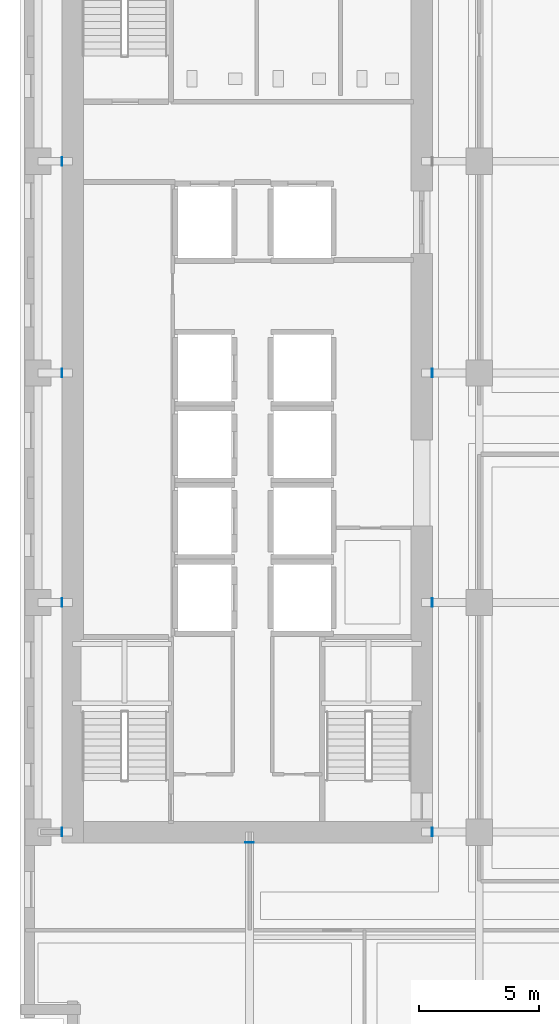
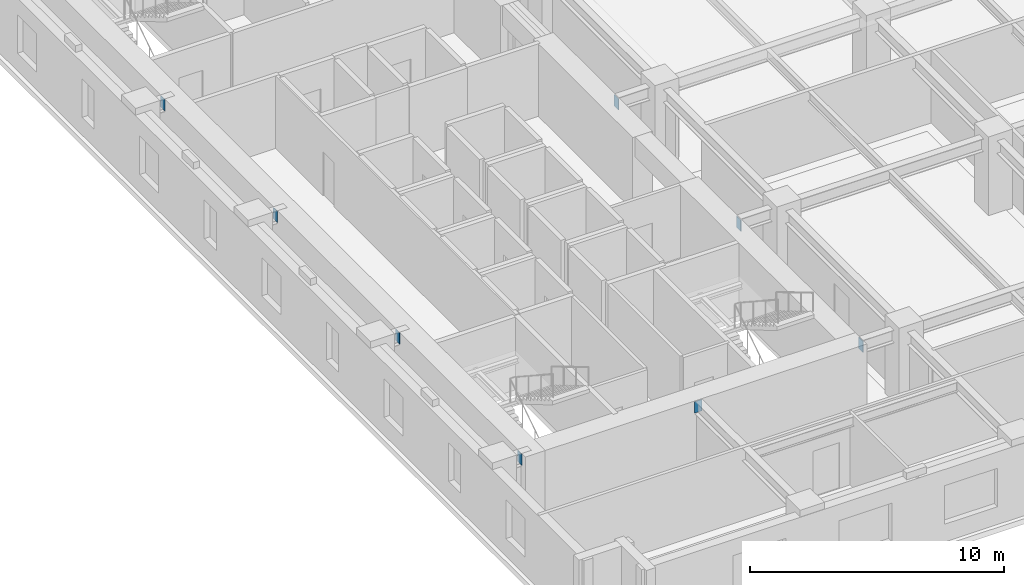
# One storey, part 9 of 15: 8 discrete accessories.
"""IFC4 building model written with IfcOpenShell, lengths in metres."""

from ifc_helpers import new_model, si_unit, direction, frame, origin, origin_2d, place, context, subcontext, project, spatial, rectangle, extrude, material, layer, layer_set, type_object, element, save


model = new_model("IFC4")

# Units and contexts
model_context = context("Model", 3, precision=1e-05, world=origin(), true_north=direction((0.0, 1.0)))
body_context = subcontext(model_context, "Body", "Model", "MODEL_VIEW")
ifc_project = project(units=[si_unit("LENGTHUNIT", "METRE"), si_unit("AREAUNIT", "SQUARE_METRE"), si_unit("VOLUMEUNIT", "CUBIC_METRE"), si_unit("PLANEANGLEUNIT", "RADIAN"), si_unit("MASSUNIT", "GRAM", prefix="KILO")], contexts=[model_context])

# Site, building, storey
site_placement = place(None, origin())
site = spatial("IfcSite", under=ifc_project, at=site_placement, CompositionType="ELEMENT")
building_placement = place(site_placement, origin())
building = spatial("IfcBuilding", under=site, at=building_placement, Name="Norrvale University Quadrangle", CompositionType="ELEMENT")
storey_placement = place(building_placement, frame((0.0, 0.0, 92.60009765625)))
storey = spatial("IfcBuildingStorey", under=building, at=storey_placement, Name="L23", CompositionType="ELEMENT", Elevation=92.60009765625)

# Discrete accessories
ifc_material = material(Name="Steel 350W", Category="steel")
ifc_layer = layer(ifc_material, 0.02490234375, Name="Steel 350W")
ifc_layer_set = layer_set([ifc_layer], Name="Steel 350W")
discrete_accessory_type = type_object("IfcDiscreteAccessoryType", Name="Accessory Cast In Embed Plate", PredefinedType="ANCHORPLATE", material=ifc_layer_set)
for number, where, z_axis, x_axis, name in (
    (1, (1.762451171875, 9.60009765625, 2.89990234375), (0.0, 0.0, 1.0), (1.0, 0.0, 0.0), "Core Wall Cast-in Embed Plate L23-GCW069"),
    (2, (17.237548828125, 9.60009765625, 2.89990234375), (0.0, 0.0, 1.0), (1.0, 0.0, 0.0), "Core Wall Cast-in Embed Plate L23-GCE070"),
    (3, (1.762451171875, 19.199951171875, 2.89990234375), (0.0, 0.0, 1.0), (1.0, 0.0, 0.0), "Core Wall Cast-in Embed Plate L23-GCW071"),
    (4, (17.237548828125, 19.199951171875, 2.89990234375), (0.0, 0.0, 1.0), (1.0, 0.0, 0.0), "Core Wall Cast-in Embed Plate L23-GCE072"),
    (5, (1.762451171875, 28.800048828125, 2.89990234375), (0.0, 0.0, 1.0), (1.0, 0.0, 0.0), "Core Wall Cast-in Embed Plate L23-GCW073"),
    (6, (17.237548828125, 28.800048828125, 2.89990234375), (0.0, 0.0, 1.0), (1.0, 0.0, 0.0), "Core Wall Cast-in Embed Plate L23-GCE074"),
    (7, (1.762451171875, 37.64990234375, 2.89990234375), (0.0, 0.0, 1.0), (1.0, 0.0, 0.0), "Core Wall Cast-in Embed Plate L23-GCW075"),
):
    element("IfcDiscreteAccessory", number, at=place(storey_placement, frame(where, z_axis=z_axis, x_axis=x_axis)), inside=storey, type_object=discrete_accessory_type, Name=name, PredefinedType="ANCHORPLATE", context=body_context, shape_type="SweptSolid", body=[
        extrude(rectangle(XDim=0.02490234375, YDim=0.35009765625, at=origin_2d()), origin(), (0.0, 0.0, 1.0), 0.5400390625),
    ])
discrete_accessory_placement = place(storey_placement, frame((9.60009765625, 9.16259765625, 2.89990234375), z_axis=(0.0, 0.0, 1.0), x_axis=(1.0, 0.0, 0.0)))
element("IfcDiscreteAccessory", 8, at=discrete_accessory_placement, inside=storey, type_object=discrete_accessory_type, Name="Core Wall Cast-in Embed Plate L23-GCS102", PredefinedType="ANCHORPLATE", context=body_context, shape_type="SweptSolid", body=[
    extrude(rectangle(XDim=0.35009765625, YDim=0.02490234375, at=origin_2d()), origin(), (0.0, 0.0, 1.0), 0.5400390625),
])

save(model, "model.ifc")
